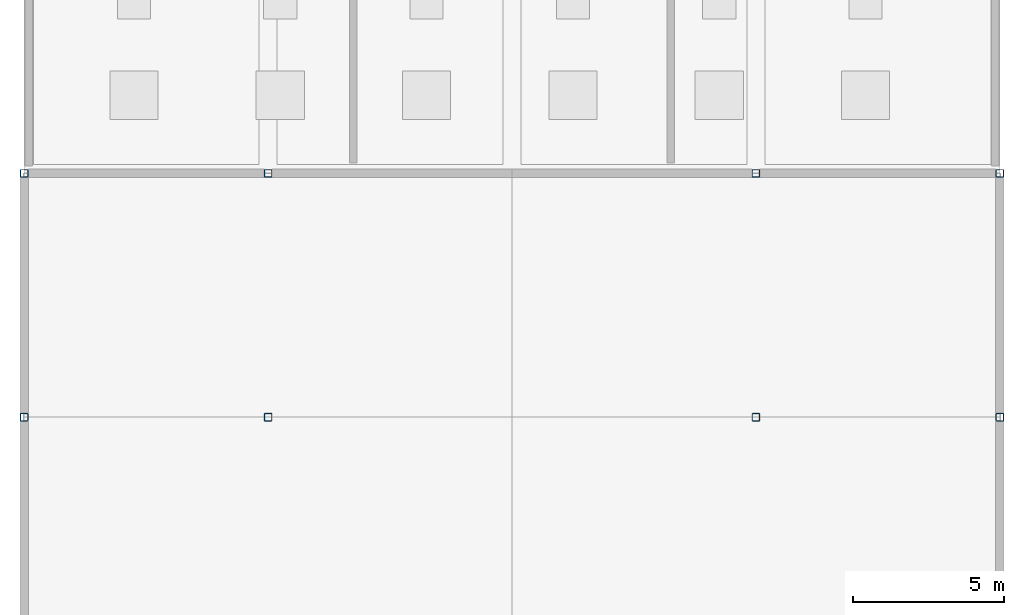
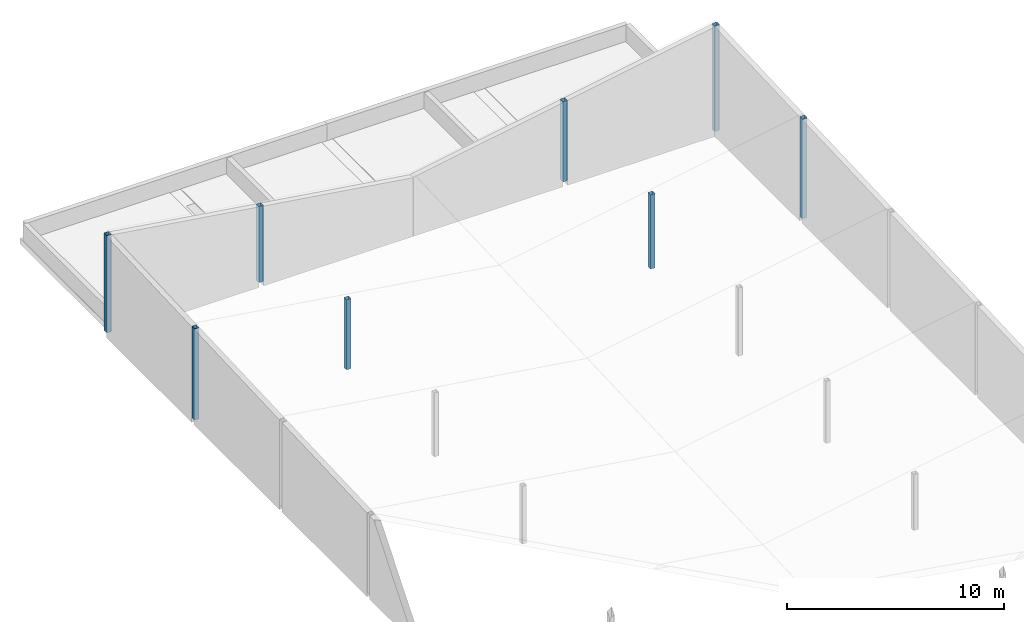
# One storey, part 5 of 8: 8 columns.
"""IFC4 building model written with IfcOpenShell, lengths in metres."""

from ifc_helpers import new_model, si_unit, direction, frame, origin, origin_2d, place, context, subcontext, project, spatial, hollow_rectangle, extrude, material, material_profile, profile_set, type_object, element, save


model = new_model("IFC4")

# Units and contexts
model_context = context("Model", 3, precision=1e-05, world=origin(), true_north=direction((0.0, 1.0)))
body_context = subcontext(model_context, "Body", "Model", "MODEL_VIEW")
ifc_project = project(units=[si_unit("LENGTHUNIT", "METRE"), si_unit("AREAUNIT", "SQUARE_METRE"), si_unit("VOLUMEUNIT", "CUBIC_METRE"), si_unit("PLANEANGLEUNIT", "RADIAN"), si_unit("MASSUNIT", "GRAM", prefix="KILO")], contexts=[model_context])

# Site, building, storey
site_placement = place(None, origin())
site = spatial("IfcSite", under=ifc_project, at=site_placement, CompositionType="ELEMENT")
building_placement = place(site_placement, origin())
building = spatial("IfcBuilding", under=site, at=building_placement, Name="Vaudrelin Polytechnic", CompositionType="ELEMENT")
storey_placement = place(building_placement, frame((0.0, 0.0, 36.2099609375)))
storey = spatial("IfcBuildingStorey", under=building, at=storey_placement, Name="ROOF", CompositionType="ELEMENT", Elevation=36.2099609375)

# Columns
ifc_material = material(Name="Steel CSA G40.21 350W", Category="steel")
ifc_material_profile = material_profile(ifc_material, hollow_rectangle(XDim=0.25390625, YDim=0.25390625, WallThickness=0.0126953125, InnerFilletRadius=0.0126953125, OuterFilletRadius=0.025390625, at=origin_2d()), Name="HSS254x254x12.7")
ifc_profile_set = profile_set([ifc_material_profile], Name="Steel CSA G40.21 350W")
column_type = type_object("IfcColumnType", Name="COL-C-HSS254", PredefinedType="COLUMN", material=ifc_profile_set)
column_1_placement = place(storey_placement, frame((137.699951171875, 97.199951171875, 0.0), z_axis=(0.0, 0.0, 1.0), x_axis=(1.0, 0.0, 0.0)))
element("IfcColumn", 1, at=column_1_placement, inside=storey, type_object=column_type, Name="Laboratory roof edge post 17-12", PredefinedType="COLUMN", context=body_context, shape_type="SweptSolid", body=[
    extrude(hollow_rectangle(XDim=0.25390625, YDim=0.25390625, WallThickness=0.0126953125, InnerFilletRadius=0.0126953125, OuterFilletRadius=0.025390625, at=origin_2d()), origin(), (0.0, 0.0, 1.0), 5.15283203125),
])
column_2_placement = place(storey_placement, frame((145.800048828125, 97.199951171875, 0.0), z_axis=(0.0, 0.0, 1.0), x_axis=(1.0, 0.0, 0.0)))
element("IfcColumn", 2, at=column_2_placement, inside=storey, type_object=column_type, Name="Laboratory roof edge post 18-12", PredefinedType="COLUMN", context=body_context, shape_type="SweptSolid", body=[
    extrude(hollow_rectangle(XDim=0.25390625, YDim=0.25390625, WallThickness=0.0126953125, InnerFilletRadius=0.0126953125, OuterFilletRadius=0.025390625, at=origin_2d()), origin(), (0.0, 0.0, 1.0), 3.942138671875),
])
column_3_placement = place(storey_placement, frame((162.0, 97.199951171875, 0.0), z_axis=(0.0, 0.0, 1.0), x_axis=(1.0, 0.0, 0.0)))
element("IfcColumn", 3, at=column_3_placement, inside=storey, type_object=column_type, Name="Laboratory roof edge post 20-12", PredefinedType="COLUMN", context=body_context, shape_type="SweptSolid", body=[
    extrude(hollow_rectangle(XDim=0.25390625, YDim=0.25390625, WallThickness=0.0126953125, InnerFilletRadius=0.0126953125, OuterFilletRadius=0.025390625, at=origin_2d()), origin(), (0.0, 0.0, 1.0), 4.18212890625),
])
column_4_placement = place(storey_placement, frame((170.10009765625, 97.199951171875, 0.0), z_axis=(0.0, 0.0, 1.0), x_axis=(1.0, 0.0, 0.0)))
element("IfcColumn", 4, at=column_4_placement, inside=storey, type_object=column_type, Name="Laboratory roof edge post 21-12", PredefinedType="COLUMN", context=body_context, shape_type="SweptSolid", body=[
    extrude(hollow_rectangle(XDim=0.25390625, YDim=0.25390625, WallThickness=0.0126953125, InnerFilletRadius=0.0126953125, OuterFilletRadius=0.025390625, at=origin_2d()), origin(), (0.0, 0.0, 1.0), 5.61767578125),
])
column_5_placement = place(storey_placement, frame((137.699951171875, 105.300048828125, 0.0), z_axis=(0.0, 0.0, 1.0), x_axis=(1.0, 0.0, 0.0)))
element("IfcColumn", 5, at=column_5_placement, inside=storey, type_object=column_type, Name="Laboratory roof edge post 17-13", PredefinedType="COLUMN", context=body_context, shape_type="SweptSolid", body=[
    extrude(hollow_rectangle(XDim=0.25390625, YDim=0.25390625, WallThickness=0.0126953125, InnerFilletRadius=0.0126953125, OuterFilletRadius=0.025390625, at=origin_2d()), origin(), (0.0, 0.0, 1.0), 5.492919921875),
])
column_6_placement = place(storey_placement, frame((145.800048828125, 105.300048828125, 0.0), z_axis=(0.0, 0.0, 1.0), x_axis=(1.0, 0.0, 0.0)))
element("IfcColumn", 6, at=column_6_placement, inside=storey, type_object=column_type, Name="Laboratory roof edge post 18-13", PredefinedType="COLUMN", context=body_context, shape_type="SweptSolid", body=[
    extrude(hollow_rectangle(XDim=0.25390625, YDim=0.25390625, WallThickness=0.0126953125, InnerFilletRadius=0.0126953125, OuterFilletRadius=0.025390625, at=origin_2d()), origin(), (0.0, 0.0, 1.0), 4.2822265625),
])
column_7_placement = place(storey_placement, frame((162.0, 105.300048828125, 0.0), z_axis=(0.0, 0.0, 1.0), x_axis=(1.0, 0.0, 0.0)))
element("IfcColumn", 7, at=column_7_placement, inside=storey, type_object=column_type, Name="Laboratory roof edge post 20-13", PredefinedType="COLUMN", context=body_context, shape_type="SweptSolid", body=[
    extrude(hollow_rectangle(XDim=0.25390625, YDim=0.25390625, WallThickness=0.0126953125, InnerFilletRadius=0.0126953125, OuterFilletRadius=0.025390625, at=origin_2d()), origin(), (0.0, 0.0, 1.0), 4.5224609375),
])
column_8_placement = place(storey_placement, frame((170.10009765625, 105.300048828125, 0.0), z_axis=(0.0, 0.0, 1.0), x_axis=(1.0, 0.0, 0.0)))
element("IfcColumn", 8, at=column_8_placement, inside=storey, type_object=column_type, Name="Laboratory roof edge post 21-13", PredefinedType="COLUMN", context=body_context, shape_type="SweptSolid", body=[
    extrude(hollow_rectangle(XDim=0.25390625, YDim=0.25390625, WallThickness=0.0126953125, InnerFilletRadius=0.0126953125, OuterFilletRadius=0.025390625, at=origin_2d()), origin(), (0.0, 0.0, 1.0), 5.9580078125),
])

save(model, "model.ifc")
